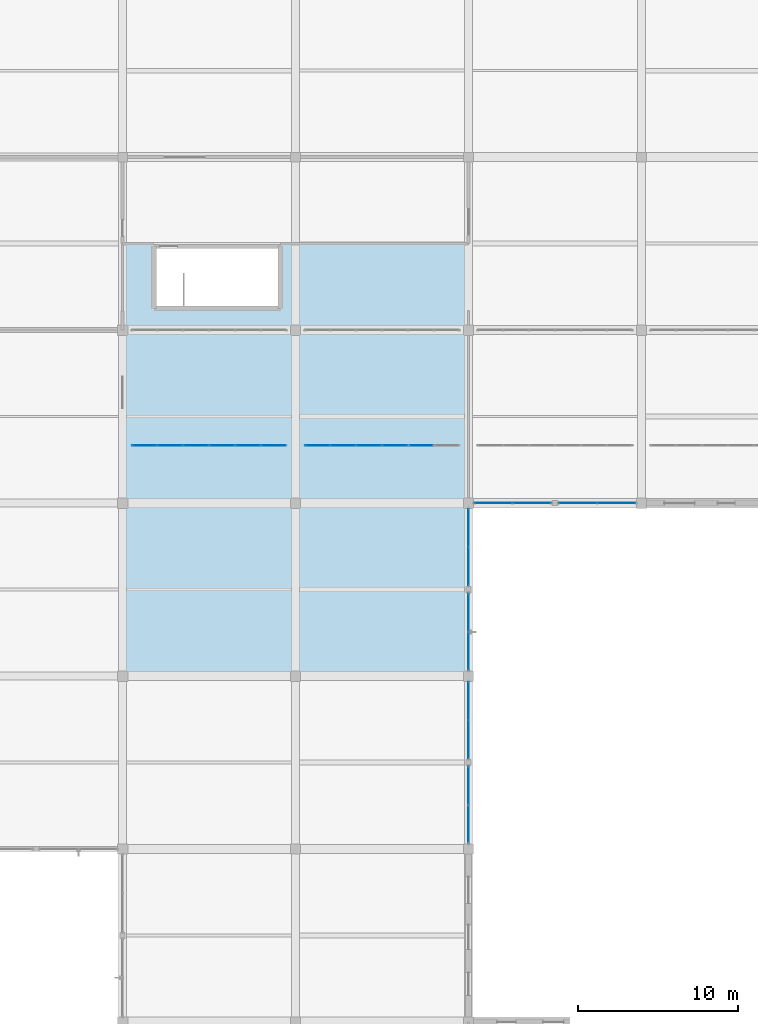
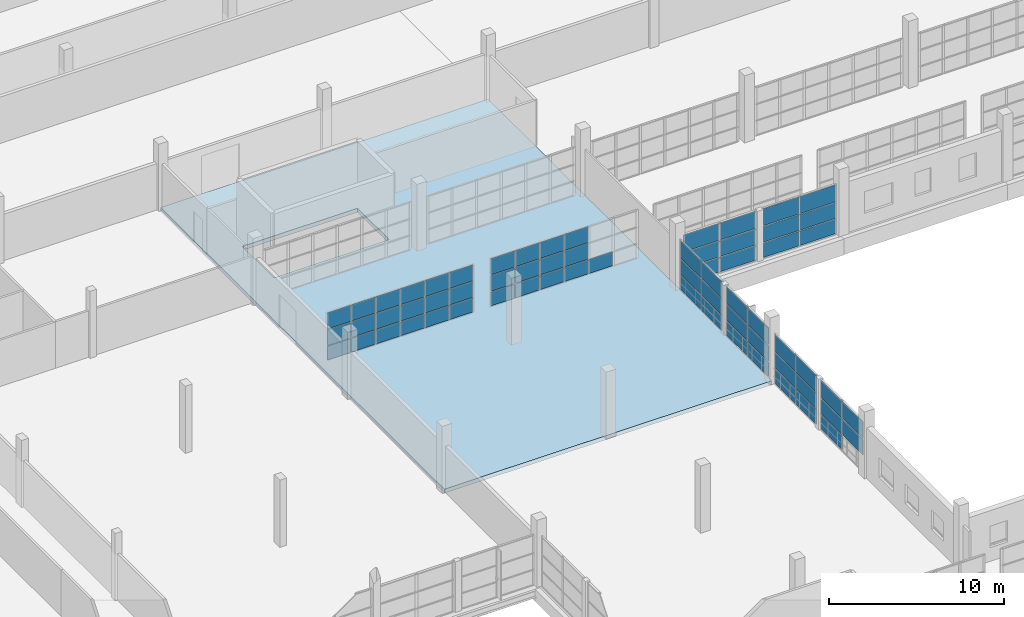
# One storey, part 91 of 142: 66 plates, 1 slab, 8 elements without a shape of their own.
"""IFC4 building model written with IfcOpenShell, lengths in metres."""

from ifc_helpers import new_model, si_unit, direction, frame, origin, origin_2d, place, context, subcontext, project, spatial, polyline, rectangle, outline, extrude, material, layer, layer_set, type_object, element, aggregate, save


model = new_model("IFC4")

# Units and contexts
model_context = context("Model", 3, precision=1e-05, world=origin(), true_north=direction((0.0, 1.0)))
body_context = subcontext(model_context, "Body", "Model", "MODEL_VIEW")
ifc_project = project(units=[si_unit("LENGTHUNIT", "METRE"), si_unit("AREAUNIT", "SQUARE_METRE"), si_unit("VOLUMEUNIT", "CUBIC_METRE"), si_unit("PLANEANGLEUNIT", "RADIAN"), si_unit("MASSUNIT", "GRAM", prefix="KILO")], contexts=[model_context])

# Site, building, storey
site_placement = place(None, origin())
site = spatial("IfcSite", under=ifc_project, at=site_placement, CompositionType="ELEMENT")
building_placement = place(site_placement, origin())
building = spatial("IfcBuilding", under=site, at=building_placement, Name="Zwinboog Wholesale Market", CompositionType="ELEMENT")
storey_placement = place(building_placement, frame((0.0, 0.0, 5.39990234375)))
storey = spatial("IfcBuildingStorey", under=building, at=storey_placement, Name="L01", CompositionType="ELEMENT", Elevation=5.39990234375)

# Slab
ifc_material_1 = material(Name="Precast concrete C45/55", Category="concrete")
ifc_layer_1 = layer(ifc_material_1, 0.280029296875)
ifc_layer_set_1 = layer_set([ifc_layer_1], Name="Precast concrete C45/55")
slab_type = type_object("IfcSlabType", Name="SLT-FL-280", PredefinedType="FLOOR", material=ifc_layer_set_1)
slab_placement = place(storey_placement, frame((0.0, 0.0, -0.27978515625)))
element("IfcSlab", 1, at=slab_placement, inside=storey, type_object=slab_type, Name="SF-280 (SLB-L01-036)", PredefinedType="FLOOR", context=body_context, shape_type="SweptSolid", body=[
    extrude(outline(polyline([(64.800048828125, 75.60009765625), (86.39990234375, 75.60009765625), (86.39990234375, 108.0), (64.800048828125, 108.0), (64.800048828125, 75.60009765625)]), holes=[polyline([(66.89990234375, 98.699951171875), (74.5, 98.699951171875), (74.5, 102.300048828125), (66.89990234375, 102.300048828125), (66.89990234375, 98.699951171875)])]), origin(), (0.0, 0.0, 1.0), 0.27978515625),
])

# Curtain wall, plates
ifc_material_2 = material(Name="Aluminium thermally broken curtain wall", Category="aluminium")
curtain_wall_type_1 = type_object("IfcCurtainWallType", Name="CWT-STALL-18", PredefinedType="USERDEFINED", material=ifc_material_2)
curtain_wall_1_placement = place(storey_placement, origin())
curtain_wall_1 = element("IfcCurtainWall", 2, at=curtain_wall_1_placement, inside=storey, type_object=curtain_wall_type_1, Name="CW-01 (CW-L01-091)", ObjectType="STOREFRONT_GLAZING", PredefinedType="USERDEFINED")
ifc_material_3 = material(Name="Triple solar-control insulated glazing", Category="glass")
ifc_layer_2 = layer(ifc_material_3, 0.0380859375)
ifc_layer_set_2 = layer_set([ifc_layer_2], Name="Triple solar-control insulated glazing")
plate_type_1 = type_object("IfcPlateType", Name="CWP-IGU-38", PredefinedType="CURTAIN_PANEL", material=ifc_layer_set_2)
plate_1_placement = place(storey_placement, frame((86.39990234375, 66.356201171875, 1.132568359375), z_axis=(0.0, 0.0, 1.0), x_axis=(0.0, 1.0, 0.0)))
plate_1 = element("IfcPlate", 3, at=plate_1_placement, type_object=plate_type_1, Name="CW-01 panel 1.2", PredefinedType="CURTAIN_PANEL", context=body_context, shape_type="SweptSolid", body=[
    extrude(rectangle(XDim=2.342529296875, YDim=0.0380859375, at=origin_2d()), origin(), (0.0, 0.0, 1.0), 1.0849609375),
])
plate_2_placement = place(storey_placement, frame((86.39990234375, 66.356201171875, 2.282470703125), z_axis=(0.0, 0.0, 1.0), x_axis=(0.0, 1.0, 0.0)))
plate_2 = element("IfcPlate", 4, at=plate_2_placement, type_object=plate_type_1, Name="CW-01 panel 1.3", PredefinedType="CURTAIN_PANEL", context=body_context, shape_type="SweptSolid", body=[
    extrude(rectangle(XDim=2.342529296875, YDim=0.0380859375, at=origin_2d()), origin(), (0.0, 0.0, 1.0), 1.1826171875),
])
plate_3_placement = place(storey_placement, frame((86.39990234375, 68.763671875, 0.065185546875), z_axis=(0.0, 0.0, 1.0), x_axis=(0.0, 1.0, 0.0)))
plate_3 = element("IfcPlate", 5, at=plate_3_placement, type_object=plate_type_1, Name="CW-01 panel 2.1", PredefinedType="CURTAIN_PANEL", context=body_context, shape_type="SweptSolid", body=[
    extrude(rectangle(XDim=2.342529296875, YDim=0.0380859375, at=origin_2d()), origin(), (0.0, 0.0, 1.0), 1.00244140625),
])
plate_4_placement = place(storey_placement, frame((86.39990234375, 68.763671875, 1.132568359375), z_axis=(0.0, 0.0, 1.0), x_axis=(0.0, 1.0, 0.0)))
plate_4 = element("IfcPlate", 6, at=plate_4_placement, type_object=plate_type_1, Name="CW-01 panel 2.2", PredefinedType="CURTAIN_PANEL", context=body_context, shape_type="SweptSolid", body=[
    extrude(rectangle(XDim=2.342529296875, YDim=0.0380859375, at=origin_2d()), origin(), (0.0, 0.0, 1.0), 1.0849609375),
])
plate_5_placement = place(storey_placement, frame((86.39990234375, 68.763671875, 2.282470703125), z_axis=(0.0, 0.0, 1.0), x_axis=(0.0, 1.0, 0.0)))
plate_5 = element("IfcPlate", 7, at=plate_5_placement, type_object=plate_type_1, Name="CW-01 panel 2.3", PredefinedType="CURTAIN_PANEL", context=body_context, shape_type="SweptSolid", body=[
    extrude(rectangle(XDim=2.342529296875, YDim=0.0380859375, at=origin_2d()), origin(), (0.0, 0.0, 1.0), 1.1826171875),
])
aggregate(curtain_wall_1, [plate_1, plate_2, plate_3, plate_4, plate_5])

curtain_wall_type_2 = type_object("IfcCurtainWallType", Name="CWT-STALL-20", PredefinedType="USERDEFINED", material=ifc_material_2)
curtain_wall_2_placement = place(storey_placement, origin())
curtain_wall_2 = element("IfcCurtainWall", 8, at=curtain_wall_2_placement, inside=storey, type_object=curtain_wall_type_2, Name="CW-02 (CW-L01-092)", ObjectType="STOREFRONT_GLAZING", PredefinedType="USERDEFINED")
plate_6_placement = place(storey_placement, frame((86.39990234375, 71.635009765625, 0.06005859375), z_axis=(0.0, 0.0, 1.0), x_axis=(0.0, 1.0, 0.0)))
plate_6 = element("IfcPlate", 9, at=plate_6_placement, type_object=plate_type_1, Name="CW-02 panel 1.1", PredefinedType="CURTAIN_PANEL", context=body_context, shape_type="SweptSolid", body=[
    extrude(rectangle(XDim=2.35009765625, YDim=0.0380859375, at=origin_2d()), origin(), (0.0, 0.0, 1.0), 1.010009765625),
])
plate_7_placement = place(storey_placement, frame((86.39990234375, 71.635009765625, 1.1298828125), z_axis=(0.0, 0.0, 1.0), x_axis=(0.0, 1.0, 0.0)))
plate_7 = element("IfcPlate", 10, at=plate_7_placement, type_object=plate_type_1, Name="CW-02 panel 1.2", PredefinedType="CURTAIN_PANEL", context=body_context, shape_type="SweptSolid", body=[
    extrude(rectangle(XDim=2.35009765625, YDim=0.0380859375, at=origin_2d()), origin(), (0.0, 0.0, 1.0), 1.090087890625),
])
plate_8_placement = place(storey_placement, frame((86.39990234375, 71.635009765625, 2.280029296875), z_axis=(0.0, 0.0, 1.0), x_axis=(0.0, 1.0, 0.0)))
plate_8 = element("IfcPlate", 11, at=plate_8_placement, type_object=plate_type_1, Name="CW-02 panel 1.3", PredefinedType="CURTAIN_PANEL", context=body_context, shape_type="SweptSolid", body=[
    extrude(rectangle(XDim=2.35009765625, YDim=0.0380859375, at=origin_2d()), origin(), (0.0, 0.0, 1.0), 1.18994140625),
])
plate_9_placement = place(storey_placement, frame((86.39990234375, 74.044921875, 0.06005859375), z_axis=(0.0, 0.0, 1.0), x_axis=(0.0, 1.0, 0.0)))
plate_9 = element("IfcPlate", 12, at=plate_9_placement, type_object=plate_type_1, Name="CW-02 panel 2.1", PredefinedType="CURTAIN_PANEL", context=body_context, shape_type="SweptSolid", body=[
    extrude(rectangle(XDim=2.35009765625, YDim=0.0380859375, at=origin_2d()), origin(), (0.0, 0.0, 1.0), 1.010009765625),
])
plate_10_placement = place(storey_placement, frame((86.39990234375, 74.044921875, 1.1298828125), z_axis=(0.0, 0.0, 1.0), x_axis=(0.0, 1.0, 0.0)))
plate_10 = element("IfcPlate", 13, at=plate_10_placement, type_object=plate_type_1, Name="CW-02 panel 2.2", PredefinedType="CURTAIN_PANEL", context=body_context, shape_type="SweptSolid", body=[
    extrude(rectangle(XDim=2.35009765625, YDim=0.0380859375, at=origin_2d()), origin(), (0.0, 0.0, 1.0), 1.090087890625),
])
plate_11_placement = place(storey_placement, frame((86.39990234375, 74.044921875, 2.280029296875), z_axis=(0.0, 0.0, 1.0), x_axis=(0.0, 1.0, 0.0)))
plate_11 = element("IfcPlate", 14, at=plate_11_placement, type_object=plate_type_1, Name="CW-02 panel 2.3", PredefinedType="CURTAIN_PANEL", context=body_context, shape_type="SweptSolid", body=[
    extrude(rectangle(XDim=2.35009765625, YDim=0.0380859375, at=origin_2d()), origin(), (0.0, 0.0, 1.0), 1.18994140625),
])
aggregate(curtain_wall_2, [plate_6, plate_7, plate_8, plate_9, plate_10, plate_11])

curtain_wall_type_3 = type_object("IfcCurtainWallType", Name="CWT-HALL-24", PredefinedType="USERDEFINED", material=ifc_material_2)
curtain_wall_3_placement = place(storey_placement, origin())
curtain_wall_3 = element("IfcCurtainWall", 15, at=curtain_wall_3_placement, inside=storey, type_object=curtain_wall_type_3, Name="CW-03 (CW-L01-093)", ObjectType="UNITIZED_CURTAIN_WALL", PredefinedType="USERDEFINED")
plate_12_placement = place(storey_placement, frame((86.39990234375, 77.15625, 0.065185546875), z_axis=(0.0, 0.0, 1.0), x_axis=(0.0, 1.0, 0.0)))
plate_12 = element("IfcPlate", 16, at=plate_12_placement, type_object=plate_type_1, Name="CW-03 panel 1.1", PredefinedType="CURTAIN_PANEL", context=body_context, shape_type="SweptSolid", body=[
    extrude(rectangle(XDim=2.342529296875, YDim=0.0380859375, at=origin_2d()), origin(), (0.0, 0.0, 1.0), 1.00244140625),
])
plate_13_placement = place(storey_placement, frame((86.39990234375, 77.15625, 1.132568359375), z_axis=(0.0, 0.0, 1.0), x_axis=(0.0, 1.0, 0.0)))
plate_13 = element("IfcPlate", 17, at=plate_13_placement, type_object=plate_type_1, Name="CW-03 panel 1.2", PredefinedType="CURTAIN_PANEL", context=body_context, shape_type="SweptSolid", body=[
    extrude(rectangle(XDim=2.342529296875, YDim=0.0380859375, at=origin_2d()), origin(), (0.0, 0.0, 1.0), 1.0849609375),
])
plate_14_placement = place(storey_placement, frame((86.39990234375, 77.15625, 2.282470703125), z_axis=(0.0, 0.0, 1.0), x_axis=(0.0, 1.0, 0.0)))
plate_14 = element("IfcPlate", 18, at=plate_14_placement, type_object=plate_type_1, Name="CW-03 panel 1.3", PredefinedType="CURTAIN_PANEL", context=body_context, shape_type="SweptSolid", body=[
    extrude(rectangle(XDim=2.342529296875, YDim=0.0380859375, at=origin_2d()), origin(), (0.0, 0.0, 1.0), 1.1826171875),
])
plate_15_placement = place(storey_placement, frame((86.39990234375, 79.563720703125, 0.065185546875), z_axis=(0.0, 0.0, 1.0), x_axis=(0.0, 1.0, 0.0)))
plate_15 = element("IfcPlate", 19, at=plate_15_placement, type_object=plate_type_1, Name="CW-03 panel 2.1", PredefinedType="CURTAIN_PANEL", context=body_context, shape_type="SweptSolid", body=[
    extrude(rectangle(XDim=2.342529296875, YDim=0.0380859375, at=origin_2d()), origin(), (0.0, 0.0, 1.0), 1.00244140625),
])
plate_16_placement = place(storey_placement, frame((86.39990234375, 79.563720703125, 1.132568359375), z_axis=(0.0, 0.0, 1.0), x_axis=(0.0, 1.0, 0.0)))
plate_16 = element("IfcPlate", 20, at=plate_16_placement, type_object=plate_type_1, Name="CW-03 panel 2.2", PredefinedType="CURTAIN_PANEL", context=body_context, shape_type="SweptSolid", body=[
    extrude(rectangle(XDim=2.342529296875, YDim=0.0380859375, at=origin_2d()), origin(), (0.0, 0.0, 1.0), 1.0849609375),
])
plate_17_placement = place(storey_placement, frame((86.39990234375, 79.563720703125, 2.282470703125), z_axis=(0.0, 0.0, 1.0), x_axis=(0.0, 1.0, 0.0)))
plate_17 = element("IfcPlate", 21, at=plate_17_placement, type_object=plate_type_1, Name="CW-03 panel 2.3", PredefinedType="CURTAIN_PANEL", context=body_context, shape_type="SweptSolid", body=[
    extrude(rectangle(XDim=2.342529296875, YDim=0.0380859375, at=origin_2d()), origin(), (0.0, 0.0, 1.0), 1.1826171875),
])
aggregate(curtain_wall_3, [plate_12, plate_13, plate_14, plate_15, plate_16, plate_17])

curtain_wall_type_4 = type_object("IfcCurtainWallType", Name="CWT-GAL-16", PredefinedType="USERDEFINED", material=ifc_material_2)
curtain_wall_4_placement = place(storey_placement, origin())
curtain_wall_4 = element("IfcCurtainWall", 22, at=curtain_wall_4_placement, inside=storey, type_object=curtain_wall_type_4, Name="CW-04 (CW-L01-094)", ObjectType="UNITIZED_CURTAIN_WALL", PredefinedType="USERDEFINED")
plate_18_placement = place(storey_placement, frame((86.39990234375, 82.43505859375, 0.06005859375), z_axis=(0.0, 0.0, 1.0), x_axis=(0.0, 1.0, 0.0)))
plate_18 = element("IfcPlate", 23, at=plate_18_placement, type_object=plate_type_1, Name="CW-04 panel 1.1", PredefinedType="CURTAIN_PANEL", context=body_context, shape_type="SweptSolid", body=[
    extrude(rectangle(XDim=2.35009765625, YDim=0.0380859375, at=origin_2d()), origin(), (0.0, 0.0, 1.0), 1.010009765625),
])
plate_19_placement = place(storey_placement, frame((86.39990234375, 82.43505859375, 1.1298828125), z_axis=(0.0, 0.0, 1.0), x_axis=(0.0, 1.0, 0.0)))
plate_19 = element("IfcPlate", 24, at=plate_19_placement, type_object=plate_type_1, Name="CW-04 panel 1.2", PredefinedType="CURTAIN_PANEL", context=body_context, shape_type="SweptSolid", body=[
    extrude(rectangle(XDim=2.35009765625, YDim=0.0380859375, at=origin_2d()), origin(), (0.0, 0.0, 1.0), 1.090087890625),
])
plate_20_placement = place(storey_placement, frame((86.39990234375, 82.43505859375, 2.280029296875), z_axis=(0.0, 0.0, 1.0), x_axis=(0.0, 1.0, 0.0)))
plate_20 = element("IfcPlate", 25, at=plate_20_placement, type_object=plate_type_1, Name="CW-04 panel 1.3", PredefinedType="CURTAIN_PANEL", context=body_context, shape_type="SweptSolid", body=[
    extrude(rectangle(XDim=2.35009765625, YDim=0.0380859375, at=origin_2d()), origin(), (0.0, 0.0, 1.0), 1.18994140625),
])
plate_21_placement = place(storey_placement, frame((86.39990234375, 84.844970703125, 0.06005859375), z_axis=(0.0, 0.0, 1.0), x_axis=(0.0, 1.0, 0.0)))
plate_21 = element("IfcPlate", 26, at=plate_21_placement, type_object=plate_type_1, Name="CW-04 panel 2.1", PredefinedType="CURTAIN_PANEL", context=body_context, shape_type="SweptSolid", body=[
    extrude(rectangle(XDim=2.35009765625, YDim=0.0380859375, at=origin_2d()), origin(), (0.0, 0.0, 1.0), 1.010009765625),
])
plate_22_placement = place(storey_placement, frame((86.39990234375, 84.844970703125, 1.1298828125), z_axis=(0.0, 0.0, 1.0), x_axis=(0.0, 1.0, 0.0)))
plate_22 = element("IfcPlate", 27, at=plate_22_placement, type_object=plate_type_1, Name="CW-04 panel 2.2", PredefinedType="CURTAIN_PANEL", context=body_context, shape_type="SweptSolid", body=[
    extrude(rectangle(XDim=2.35009765625, YDim=0.0380859375, at=origin_2d()), origin(), (0.0, 0.0, 1.0), 1.090087890625),
])
plate_23_placement = place(storey_placement, frame((86.39990234375, 84.844970703125, 2.280029296875), z_axis=(0.0, 0.0, 1.0), x_axis=(0.0, 1.0, 0.0)))
plate_23 = element("IfcPlate", 28, at=plate_23_placement, type_object=plate_type_1, Name="CW-04 panel 2.3", PredefinedType="CURTAIN_PANEL", context=body_context, shape_type="SweptSolid", body=[
    extrude(rectangle(XDim=2.35009765625, YDim=0.0380859375, at=origin_2d()), origin(), (0.0, 0.0, 1.0), 1.18994140625),
])
aggregate(curtain_wall_4, [plate_18, plate_19, plate_20, plate_21, plate_22, plate_23])

curtain_wall_5_placement = place(storey_placement, origin())
curtain_wall_5 = element("IfcCurtainWall", 29, at=curtain_wall_5_placement, inside=storey, type_object=curtain_wall_type_1, Name="CW-01 (CW-L01-097)", ObjectType="STOREFRONT_GLAZING", PredefinedType="USERDEFINED")
plate_24_placement = place(storey_placement, frame((87.956298828125, 86.39990234375, 0.065185546875), z_axis=(0.0, 0.0, 1.0), x_axis=(1.0, 0.0, 0.0)))
plate_24 = element("IfcPlate", 30, at=plate_24_placement, type_object=plate_type_1, Name="CW-01 panel 1.1", PredefinedType="CURTAIN_PANEL", context=body_context, shape_type="SweptSolid", body=[
    extrude(rectangle(XDim=2.342529296875, YDim=0.0380859375, at=origin_2d()), origin(), (0.0, 0.0, 1.0), 1.00244140625),
])
plate_25_placement = place(storey_placement, frame((87.956298828125, 86.39990234375, 1.132568359375), z_axis=(0.0, 0.0, 1.0), x_axis=(1.0, 0.0, 0.0)))
plate_25 = element("IfcPlate", 31, at=plate_25_placement, type_object=plate_type_1, Name="CW-01 panel 1.2", PredefinedType="CURTAIN_PANEL", context=body_context, shape_type="SweptSolid", body=[
    extrude(rectangle(XDim=2.342529296875, YDim=0.0380859375, at=origin_2d()), origin(), (0.0, 0.0, 1.0), 1.0849609375),
])
plate_26_placement = place(storey_placement, frame((87.956298828125, 86.39990234375, 2.282470703125), z_axis=(0.0, 0.0, 1.0), x_axis=(1.0, 0.0, 0.0)))
plate_26 = element("IfcPlate", 32, at=plate_26_placement, type_object=plate_type_1, Name="CW-01 panel 1.3", PredefinedType="CURTAIN_PANEL", context=body_context, shape_type="SweptSolid", body=[
    extrude(rectangle(XDim=2.342529296875, YDim=0.0380859375, at=origin_2d()), origin(), (0.0, 0.0, 1.0), 1.1826171875),
])
plate_27_placement = place(storey_placement, frame((90.36376953125, 86.39990234375, 0.065185546875), z_axis=(0.0, 0.0, 1.0), x_axis=(1.0, 0.0, 0.0)))
plate_27 = element("IfcPlate", 33, at=plate_27_placement, type_object=plate_type_1, Name="CW-01 panel 2.1", PredefinedType="CURTAIN_PANEL", context=body_context, shape_type="SweptSolid", body=[
    extrude(rectangle(XDim=2.342529296875, YDim=0.0380859375, at=origin_2d()), origin(), (0.0, 0.0, 1.0), 1.00244140625),
])
plate_28_placement = place(storey_placement, frame((90.36376953125, 86.39990234375, 1.132568359375), z_axis=(0.0, 0.0, 1.0), x_axis=(1.0, 0.0, 0.0)))
plate_28 = element("IfcPlate", 34, at=plate_28_placement, type_object=plate_type_1, Name="CW-01 panel 2.2", PredefinedType="CURTAIN_PANEL", context=body_context, shape_type="SweptSolid", body=[
    extrude(rectangle(XDim=2.342529296875, YDim=0.0380859375, at=origin_2d()), origin(), (0.0, 0.0, 1.0), 1.0849609375),
])
plate_29_placement = place(storey_placement, frame((90.36376953125, 86.39990234375, 2.282470703125), z_axis=(0.0, 0.0, 1.0), x_axis=(1.0, 0.0, 0.0)))
plate_29 = element("IfcPlate", 35, at=plate_29_placement, type_object=plate_type_1, Name="CW-01 panel 2.3", PredefinedType="CURTAIN_PANEL", context=body_context, shape_type="SweptSolid", body=[
    extrude(rectangle(XDim=2.342529296875, YDim=0.0380859375, at=origin_2d()), origin(), (0.0, 0.0, 1.0), 1.1826171875),
])
aggregate(curtain_wall_5, [plate_24, plate_25, plate_26, plate_27, plate_28, plate_29])

curtain_wall_6_placement = place(storey_placement, origin())
curtain_wall_6 = element("IfcCurtainWall", 36, at=curtain_wall_6_placement, inside=storey, type_object=curtain_wall_type_2, Name="CW-02 (CW-L01-098)", ObjectType="STOREFRONT_GLAZING", PredefinedType="USERDEFINED")
plate_30_placement = place(storey_placement, frame((93.235107421875, 86.39990234375, 0.06005859375), z_axis=(0.0, 0.0, 1.0), x_axis=(1.0, 0.0, 0.0)))
plate_30 = element("IfcPlate", 37, at=plate_30_placement, type_object=plate_type_1, Name="CW-02 panel 1.1", PredefinedType="CURTAIN_PANEL", context=body_context, shape_type="SweptSolid", body=[
    extrude(rectangle(XDim=2.35009765625, YDim=0.0380859375, at=origin_2d()), origin(), (0.0, 0.0, 1.0), 1.010009765625),
])
plate_31_placement = place(storey_placement, frame((93.235107421875, 86.39990234375, 1.1298828125), z_axis=(0.0, 0.0, 1.0), x_axis=(1.0, 0.0, 0.0)))
plate_31 = element("IfcPlate", 38, at=plate_31_placement, type_object=plate_type_1, Name="CW-02 panel 1.2", PredefinedType="CURTAIN_PANEL", context=body_context, shape_type="SweptSolid", body=[
    extrude(rectangle(XDim=2.35009765625, YDim=0.0380859375, at=origin_2d()), origin(), (0.0, 0.0, 1.0), 1.090087890625),
])
plate_32_placement = place(storey_placement, frame((93.235107421875, 86.39990234375, 2.280029296875), z_axis=(0.0, 0.0, 1.0), x_axis=(1.0, 0.0, 0.0)))
plate_32 = element("IfcPlate", 39, at=plate_32_placement, type_object=plate_type_1, Name="CW-02 panel 1.3", PredefinedType="CURTAIN_PANEL", context=body_context, shape_type="SweptSolid", body=[
    extrude(rectangle(XDim=2.35009765625, YDim=0.0380859375, at=origin_2d()), origin(), (0.0, 0.0, 1.0), 1.18994140625),
])
plate_33_placement = place(storey_placement, frame((95.64501953125, 86.39990234375, 0.06005859375), z_axis=(0.0, 0.0, 1.0), x_axis=(1.0, 0.0, 0.0)))
plate_33 = element("IfcPlate", 40, at=plate_33_placement, type_object=plate_type_1, Name="CW-02 panel 2.1", PredefinedType="CURTAIN_PANEL", context=body_context, shape_type="SweptSolid", body=[
    extrude(rectangle(XDim=2.35009765625, YDim=0.0380859375, at=origin_2d()), origin(), (0.0, 0.0, 1.0), 1.010009765625),
])
plate_34_placement = place(storey_placement, frame((95.64501953125, 86.39990234375, 1.1298828125), z_axis=(0.0, 0.0, 1.0), x_axis=(1.0, 0.0, 0.0)))
plate_34 = element("IfcPlate", 41, at=plate_34_placement, type_object=plate_type_1, Name="CW-02 panel 2.2", PredefinedType="CURTAIN_PANEL", context=body_context, shape_type="SweptSolid", body=[
    extrude(rectangle(XDim=2.35009765625, YDim=0.0380859375, at=origin_2d()), origin(), (0.0, 0.0, 1.0), 1.090087890625),
])
plate_35_placement = place(storey_placement, frame((95.64501953125, 86.39990234375, 2.280029296875), z_axis=(0.0, 0.0, 1.0), x_axis=(1.0, 0.0, 0.0)))
plate_35 = element("IfcPlate", 42, at=plate_35_placement, type_object=plate_type_1, Name="CW-02 panel 2.3", PredefinedType="CURTAIN_PANEL", context=body_context, shape_type="SweptSolid", body=[
    extrude(rectangle(XDim=2.35009765625, YDim=0.0380859375, at=origin_2d()), origin(), (0.0, 0.0, 1.0), 1.18994140625),
])
aggregate(curtain_wall_6, [plate_30, plate_31, plate_32, plate_33, plate_34, plate_35])

curtain_wall_type_5 = type_object("IfcCurtainWallType", Name="CWT-INT-STALL", PredefinedType="USERDEFINED", material=ifc_material_2)
curtain_wall_7_placement = place(storey_placement, origin())
curtain_wall_7 = element("IfcCurtainWall", 43, at=curtain_wall_7_placement, inside=storey, type_object=curtain_wall_type_5, Name="CW-07 (CW-STL-235)", ObjectType="STOREFRONT_GLAZING", PredefinedType="USERDEFINED")
ifc_material_4 = material(Name="Tempered laminated market stall glazing", Category="glass")
ifc_layer_3 = layer(ifc_material_4, 0.01611328125)
ifc_layer_set_3 = layer_set([ifc_layer_3], Name="Tempered laminated market stall glazing")
plate_type_2 = type_object("IfcPlateType", Name="CWP-INT-16", PredefinedType="CURTAIN_PANEL", material=ifc_layer_set_3)
plate_36_placement = place(storey_placement, frame((66.17333984375, 90.0, 0.06005859375), z_axis=(0.0, 0.0, 1.0), x_axis=(1.0, 0.0, 0.0)))
plate_36 = element("IfcPlate", 44, at=plate_36_placement, type_object=plate_type_2, Name="CW-07 panel 1.1", PredefinedType="CURTAIN_PANEL", context=body_context, shape_type="SweptSolid", body=[
    extrude(rectangle(XDim=1.526611328125, YDim=0.01611328125, at=origin_2d()), origin(), (0.0, 0.0, 1.0), 0.9599609375),
])
plate_37_placement = place(storey_placement, frame((66.17333984375, 90.0, 1.080078125), z_axis=(0.0, 0.0, 1.0), x_axis=(1.0, 0.0, 0.0)))
plate_37 = element("IfcPlate", 45, at=plate_37_placement, type_object=plate_type_2, Name="CW-07 panel 1.2", PredefinedType="CURTAIN_PANEL", context=body_context, shape_type="SweptSolid", body=[
    extrude(rectangle(XDim=1.526611328125, YDim=0.01611328125, at=origin_2d()), origin(), (0.0, 0.0, 1.0), 1.090087890625),
])
plate_38_placement = place(storey_placement, frame((66.17333984375, 90.0, 2.22998046875), z_axis=(0.0, 0.0, 1.0), x_axis=(1.0, 0.0, 0.0)))
plate_38 = element("IfcPlate", 46, at=plate_38_placement, type_object=plate_type_2, Name="CW-07 panel 1.3", PredefinedType="CURTAIN_PANEL", context=body_context, shape_type="SweptSolid", body=[
    extrude(rectangle(XDim=1.526611328125, YDim=0.01611328125, at=origin_2d()), origin(), (0.0, 0.0, 1.0), 1.110107421875),
])
plate_39_placement = place(storey_placement, frame((67.77490234375, 90.0, 0.06005859375), z_axis=(0.0, 0.0, 1.0), x_axis=(1.0, 0.0, 0.0)))
plate_39 = element("IfcPlate", 47, at=plate_39_placement, type_object=plate_type_2, Name="CW-07 panel 2.1", PredefinedType="CURTAIN_PANEL", context=body_context, shape_type="SweptSolid", body=[
    extrude(rectangle(XDim=1.556640625, YDim=0.01611328125, at=origin_2d()), origin(), (0.0, 0.0, 1.0), 0.9599609375),
])
plate_40_placement = place(storey_placement, frame((67.77490234375, 90.0, 1.080078125), z_axis=(0.0, 0.0, 1.0), x_axis=(1.0, 0.0, 0.0)))
plate_40 = element("IfcPlate", 48, at=plate_40_placement, type_object=plate_type_2, Name="CW-07 panel 2.2", PredefinedType="CURTAIN_PANEL", context=body_context, shape_type="SweptSolid", body=[
    extrude(rectangle(XDim=1.556640625, YDim=0.01611328125, at=origin_2d()), origin(), (0.0, 0.0, 1.0), 1.090087890625),
])
plate_41_placement = place(storey_placement, frame((67.77490234375, 90.0, 2.22998046875), z_axis=(0.0, 0.0, 1.0), x_axis=(1.0, 0.0, 0.0)))
plate_41 = element("IfcPlate", 49, at=plate_41_placement, type_object=plate_type_2, Name="CW-07 panel 2.3", PredefinedType="CURTAIN_PANEL", context=body_context, shape_type="SweptSolid", body=[
    extrude(rectangle(XDim=1.556640625, YDim=0.01611328125, at=origin_2d()), origin(), (0.0, 0.0, 1.0), 1.110107421875),
])
plate_42_placement = place(storey_placement, frame((69.3916015625, 90.0, 0.06005859375), z_axis=(0.0, 0.0, 1.0), x_axis=(1.0, 0.0, 0.0)))
plate_42 = element("IfcPlate", 50, at=plate_42_placement, type_object=plate_type_2, Name="CW-07 panel 3.1", PredefinedType="CURTAIN_PANEL", context=body_context, shape_type="SweptSolid", body=[
    extrude(rectangle(XDim=1.556640625, YDim=0.01611328125, at=origin_2d()), origin(), (0.0, 0.0, 1.0), 0.9599609375),
])
plate_43_placement = place(storey_placement, frame((69.3916015625, 90.0, 1.080078125), z_axis=(0.0, 0.0, 1.0), x_axis=(1.0, 0.0, 0.0)))
plate_43 = element("IfcPlate", 51, at=plate_43_placement, type_object=plate_type_2, Name="CW-07 panel 3.2", PredefinedType="CURTAIN_PANEL", context=body_context, shape_type="SweptSolid", body=[
    extrude(rectangle(XDim=1.556640625, YDim=0.01611328125, at=origin_2d()), origin(), (0.0, 0.0, 1.0), 1.090087890625),
])
plate_44_placement = place(storey_placement, frame((69.3916015625, 90.0, 2.22998046875), z_axis=(0.0, 0.0, 1.0), x_axis=(1.0, 0.0, 0.0)))
plate_44 = element("IfcPlate", 52, at=plate_44_placement, type_object=plate_type_2, Name="CW-07 panel 3.3", PredefinedType="CURTAIN_PANEL", context=body_context, shape_type="SweptSolid", body=[
    extrude(rectangle(XDim=1.556640625, YDim=0.01611328125, at=origin_2d()), origin(), (0.0, 0.0, 1.0), 1.110107421875),
])
plate_45_placement = place(storey_placement, frame((71.00830078125, 90.0, 0.06005859375), z_axis=(0.0, 0.0, 1.0), x_axis=(1.0, 0.0, 0.0)))
plate_45 = element("IfcPlate", 53, at=plate_45_placement, type_object=plate_type_2, Name="CW-07 panel 4.1", PredefinedType="CURTAIN_PANEL", context=body_context, shape_type="SweptSolid", body=[
    extrude(rectangle(XDim=1.556640625, YDim=0.01611328125, at=origin_2d()), origin(), (0.0, 0.0, 1.0), 0.9599609375),
])
plate_46_placement = place(storey_placement, frame((71.00830078125, 90.0, 1.080078125), z_axis=(0.0, 0.0, 1.0), x_axis=(1.0, 0.0, 0.0)))
plate_46 = element("IfcPlate", 54, at=plate_46_placement, type_object=plate_type_2, Name="CW-07 panel 4.2", PredefinedType="CURTAIN_PANEL", context=body_context, shape_type="SweptSolid", body=[
    extrude(rectangle(XDim=1.556640625, YDim=0.01611328125, at=origin_2d()), origin(), (0.0, 0.0, 1.0), 1.090087890625),
])
plate_47_placement = place(storey_placement, frame((71.00830078125, 90.0, 2.22998046875), z_axis=(0.0, 0.0, 1.0), x_axis=(1.0, 0.0, 0.0)))
plate_47 = element("IfcPlate", 55, at=plate_47_placement, type_object=plate_type_2, Name="CW-07 panel 4.3", PredefinedType="CURTAIN_PANEL", context=body_context, shape_type="SweptSolid", body=[
    extrude(rectangle(XDim=1.556640625, YDim=0.01611328125, at=origin_2d()), origin(), (0.0, 0.0, 1.0), 1.110107421875),
])
plate_48_placement = place(storey_placement, frame((72.625, 90.0, 0.06005859375), z_axis=(0.0, 0.0, 1.0), x_axis=(1.0, 0.0, 0.0)))
plate_48 = element("IfcPlate", 56, at=plate_48_placement, type_object=plate_type_2, Name="CW-07 panel 5.1", PredefinedType="CURTAIN_PANEL", context=body_context, shape_type="SweptSolid", body=[
    extrude(rectangle(XDim=1.556640625, YDim=0.01611328125, at=origin_2d()), origin(), (0.0, 0.0, 1.0), 0.9599609375),
])
plate_49_placement = place(storey_placement, frame((72.625, 90.0, 1.080078125), z_axis=(0.0, 0.0, 1.0), x_axis=(1.0, 0.0, 0.0)))
plate_49 = element("IfcPlate", 57, at=plate_49_placement, type_object=plate_type_2, Name="CW-07 panel 5.2", PredefinedType="CURTAIN_PANEL", context=body_context, shape_type="SweptSolid", body=[
    extrude(rectangle(XDim=1.556640625, YDim=0.01611328125, at=origin_2d()), origin(), (0.0, 0.0, 1.0), 1.090087890625),
])
plate_50_placement = place(storey_placement, frame((72.625, 90.0, 2.22998046875), z_axis=(0.0, 0.0, 1.0), x_axis=(1.0, 0.0, 0.0)))
plate_50 = element("IfcPlate", 58, at=plate_50_placement, type_object=plate_type_2, Name="CW-07 panel 5.3", PredefinedType="CURTAIN_PANEL", context=body_context, shape_type="SweptSolid", body=[
    extrude(rectangle(XDim=1.556640625, YDim=0.01611328125, at=origin_2d()), origin(), (0.0, 0.0, 1.0), 1.110107421875),
])
plate_51_placement = place(storey_placement, frame((74.2265625, 90.0, 0.06005859375), z_axis=(0.0, 0.0, 1.0), x_axis=(1.0, 0.0, 0.0)))
plate_51 = element("IfcPlate", 59, at=plate_51_placement, type_object=plate_type_2, Name="CW-07 panel 6.1", PredefinedType="CURTAIN_PANEL", context=body_context, shape_type="SweptSolid", body=[
    extrude(rectangle(XDim=1.526611328125, YDim=0.01611328125, at=origin_2d()), origin(), (0.0, 0.0, 1.0), 0.9599609375),
])
plate_52_placement = place(storey_placement, frame((74.2265625, 90.0, 1.080078125), z_axis=(0.0, 0.0, 1.0), x_axis=(1.0, 0.0, 0.0)))
plate_52 = element("IfcPlate", 60, at=plate_52_placement, type_object=plate_type_2, Name="CW-07 panel 6.2", PredefinedType="CURTAIN_PANEL", context=body_context, shape_type="SweptSolid", body=[
    extrude(rectangle(XDim=1.526611328125, YDim=0.01611328125, at=origin_2d()), origin(), (0.0, 0.0, 1.0), 1.090087890625),
])
plate_53_placement = place(storey_placement, frame((74.2265625, 90.0, 2.22998046875), z_axis=(0.0, 0.0, 1.0), x_axis=(1.0, 0.0, 0.0)))
plate_53 = element("IfcPlate", 61, at=plate_53_placement, type_object=plate_type_2, Name="CW-07 panel 6.3", PredefinedType="CURTAIN_PANEL", context=body_context, shape_type="SweptSolid", body=[
    extrude(rectangle(XDim=1.526611328125, YDim=0.01611328125, at=origin_2d()), origin(), (0.0, 0.0, 1.0), 1.110107421875),
])
aggregate(curtain_wall_7, [plate_36, plate_37, plate_38, plate_39, plate_40, plate_41, plate_42, plate_43, plate_44, plate_45, plate_46, plate_47, plate_48, plate_49, plate_50, plate_51, plate_52, plate_53])

curtain_wall_8_placement = place(storey_placement, origin())
curtain_wall_8 = element("IfcCurtainWall", 62, at=curtain_wall_8_placement, inside=storey, type_object=curtain_wall_type_5, Name="CW-07 (CW-STL-236)", ObjectType="STOREFRONT_GLAZING", PredefinedType="USERDEFINED")
plate_54_placement = place(storey_placement, frame((76.973388671875, 90.0, 0.06005859375), z_axis=(0.0, 0.0, 1.0), x_axis=(1.0, 0.0, 0.0)))
plate_54 = element("IfcPlate", 63, at=plate_54_placement, type_object=plate_type_2, Name="CW-07 panel 1.1", PredefinedType="CURTAIN_PANEL", context=body_context, shape_type="SweptSolid", body=[
    extrude(rectangle(XDim=1.526611328125, YDim=0.01611328125, at=origin_2d()), origin(), (0.0, 0.0, 1.0), 0.9599609375),
])
plate_55_placement = place(storey_placement, frame((76.973388671875, 90.0, 1.080078125), z_axis=(0.0, 0.0, 1.0), x_axis=(1.0, 0.0, 0.0)))
plate_55 = element("IfcPlate", 64, at=plate_55_placement, type_object=plate_type_2, Name="CW-07 panel 1.2", PredefinedType="CURTAIN_PANEL", context=body_context, shape_type="SweptSolid", body=[
    extrude(rectangle(XDim=1.526611328125, YDim=0.01611328125, at=origin_2d()), origin(), (0.0, 0.0, 1.0), 1.090087890625),
])
plate_56_placement = place(storey_placement, frame((76.973388671875, 90.0, 2.22998046875), z_axis=(0.0, 0.0, 1.0), x_axis=(1.0, 0.0, 0.0)))
plate_56 = element("IfcPlate", 65, at=plate_56_placement, type_object=plate_type_2, Name="CW-07 panel 1.3", PredefinedType="CURTAIN_PANEL", context=body_context, shape_type="SweptSolid", body=[
    extrude(rectangle(XDim=1.526611328125, YDim=0.01611328125, at=origin_2d()), origin(), (0.0, 0.0, 1.0), 1.110107421875),
])
plate_57_placement = place(storey_placement, frame((78.574951171875, 90.0, 0.06005859375), z_axis=(0.0, 0.0, 1.0), x_axis=(1.0, 0.0, 0.0)))
plate_57 = element("IfcPlate", 66, at=plate_57_placement, type_object=plate_type_2, Name="CW-07 panel 2.1", PredefinedType="CURTAIN_PANEL", context=body_context, shape_type="SweptSolid", body=[
    extrude(rectangle(XDim=1.556640625, YDim=0.01611328125, at=origin_2d()), origin(), (0.0, 0.0, 1.0), 0.9599609375),
])
plate_58_placement = place(storey_placement, frame((78.574951171875, 90.0, 1.080078125), z_axis=(0.0, 0.0, 1.0), x_axis=(1.0, 0.0, 0.0)))
plate_58 = element("IfcPlate", 67, at=plate_58_placement, type_object=plate_type_2, Name="CW-07 panel 2.2", PredefinedType="CURTAIN_PANEL", context=body_context, shape_type="SweptSolid", body=[
    extrude(rectangle(XDim=1.556640625, YDim=0.01611328125, at=origin_2d()), origin(), (0.0, 0.0, 1.0), 1.090087890625),
])
plate_59_placement = place(storey_placement, frame((78.574951171875, 90.0, 2.22998046875), z_axis=(0.0, 0.0, 1.0), x_axis=(1.0, 0.0, 0.0)))
plate_59 = element("IfcPlate", 68, at=plate_59_placement, type_object=plate_type_2, Name="CW-07 panel 2.3", PredefinedType="CURTAIN_PANEL", context=body_context, shape_type="SweptSolid", body=[
    extrude(rectangle(XDim=1.556640625, YDim=0.01611328125, at=origin_2d()), origin(), (0.0, 0.0, 1.0), 1.110107421875),
])
plate_60_placement = place(storey_placement, frame((80.191650390625, 90.0, 0.06005859375), z_axis=(0.0, 0.0, 1.0), x_axis=(1.0, 0.0, 0.0)))
plate_60 = element("IfcPlate", 69, at=plate_60_placement, type_object=plate_type_2, Name="CW-07 panel 3.1", PredefinedType="CURTAIN_PANEL", context=body_context, shape_type="SweptSolid", body=[
    extrude(rectangle(XDim=1.556640625, YDim=0.01611328125, at=origin_2d()), origin(), (0.0, 0.0, 1.0), 0.9599609375),
])
plate_61_placement = place(storey_placement, frame((80.191650390625, 90.0, 1.080078125), z_axis=(0.0, 0.0, 1.0), x_axis=(1.0, 0.0, 0.0)))
plate_61 = element("IfcPlate", 70, at=plate_61_placement, type_object=plate_type_2, Name="CW-07 panel 3.2", PredefinedType="CURTAIN_PANEL", context=body_context, shape_type="SweptSolid", body=[
    extrude(rectangle(XDim=1.556640625, YDim=0.01611328125, at=origin_2d()), origin(), (0.0, 0.0, 1.0), 1.090087890625),
])
plate_62_placement = place(storey_placement, frame((80.191650390625, 90.0, 2.22998046875), z_axis=(0.0, 0.0, 1.0), x_axis=(1.0, 0.0, 0.0)))
plate_62 = element("IfcPlate", 71, at=plate_62_placement, type_object=plate_type_2, Name="CW-07 panel 3.3", PredefinedType="CURTAIN_PANEL", context=body_context, shape_type="SweptSolid", body=[
    extrude(rectangle(XDim=1.556640625, YDim=0.01611328125, at=origin_2d()), origin(), (0.0, 0.0, 1.0), 1.110107421875),
])
plate_63_placement = place(storey_placement, frame((81.808349609375, 90.0, 0.06005859375), z_axis=(0.0, 0.0, 1.0), x_axis=(1.0, 0.0, 0.0)))
plate_63 = element("IfcPlate", 72, at=plate_63_placement, type_object=plate_type_2, Name="CW-07 panel 4.1", PredefinedType="CURTAIN_PANEL", context=body_context, shape_type="SweptSolid", body=[
    extrude(rectangle(XDim=1.556640625, YDim=0.01611328125, at=origin_2d()), origin(), (0.0, 0.0, 1.0), 0.9599609375),
])
plate_64_placement = place(storey_placement, frame((81.808349609375, 90.0, 1.080078125), z_axis=(0.0, 0.0, 1.0), x_axis=(1.0, 0.0, 0.0)))
plate_64 = element("IfcPlate", 73, at=plate_64_placement, type_object=plate_type_2, Name="CW-07 panel 4.2", PredefinedType="CURTAIN_PANEL", context=body_context, shape_type="SweptSolid", body=[
    extrude(rectangle(XDim=1.556640625, YDim=0.01611328125, at=origin_2d()), origin(), (0.0, 0.0, 1.0), 1.090087890625),
])
plate_65_placement = place(storey_placement, frame((81.808349609375, 90.0, 2.22998046875), z_axis=(0.0, 0.0, 1.0), x_axis=(1.0, 0.0, 0.0)))
plate_65 = element("IfcPlate", 74, at=plate_65_placement, type_object=plate_type_2, Name="CW-07 panel 4.3", PredefinedType="CURTAIN_PANEL", context=body_context, shape_type="SweptSolid", body=[
    extrude(rectangle(XDim=1.556640625, YDim=0.01611328125, at=origin_2d()), origin(), (0.0, 0.0, 1.0), 1.110107421875),
])
plate_66_placement = place(storey_placement, frame((83.425048828125, 90.0, 0.06005859375), z_axis=(0.0, 0.0, 1.0), x_axis=(1.0, 0.0, 0.0)))
plate_66 = element("IfcPlate", 75, at=plate_66_placement, type_object=plate_type_2, Name="CW-07 panel 5.1", PredefinedType="CURTAIN_PANEL", context=body_context, shape_type="SweptSolid", body=[
    extrude(rectangle(XDim=1.556640625, YDim=0.01611328125, at=origin_2d()), origin(), (0.0, 0.0, 1.0), 0.9599609375),
])
aggregate(curtain_wall_8, [plate_54, plate_55, plate_56, plate_57, plate_58, plate_59, plate_60, plate_61, plate_62, plate_63, plate_64, plate_65, plate_66])

save(model, "model.ifc")
